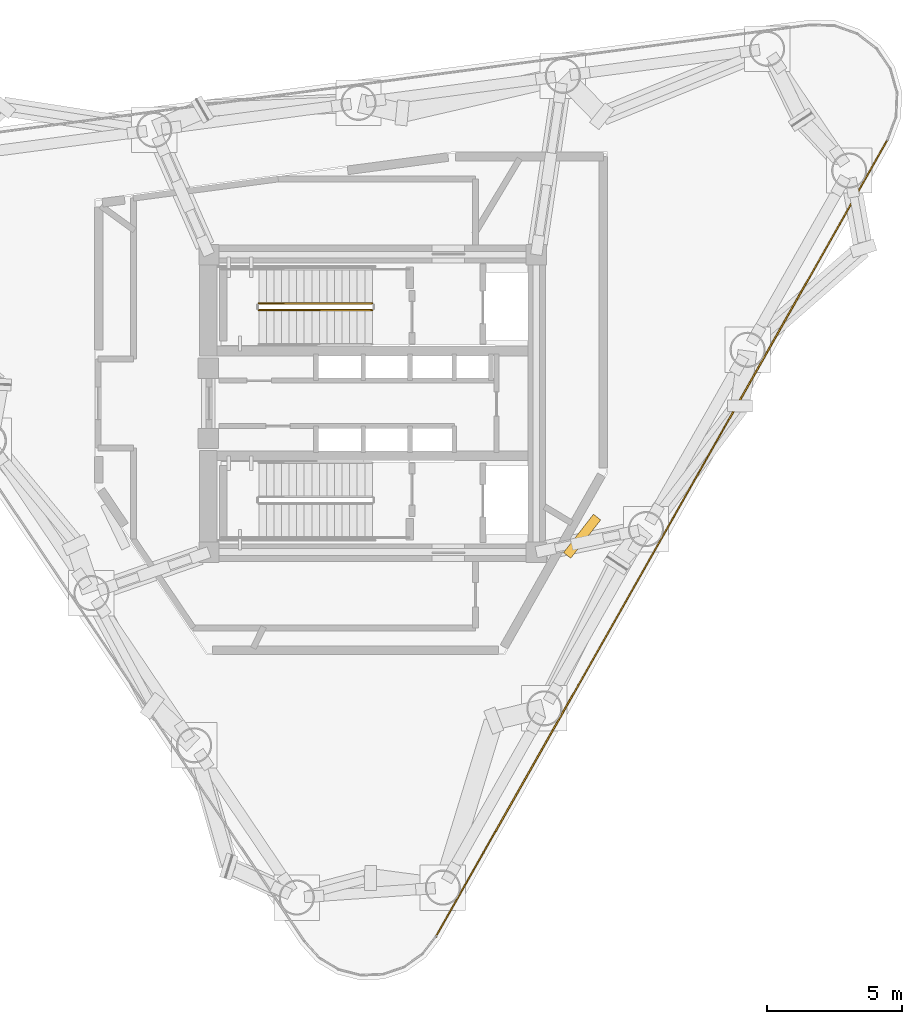
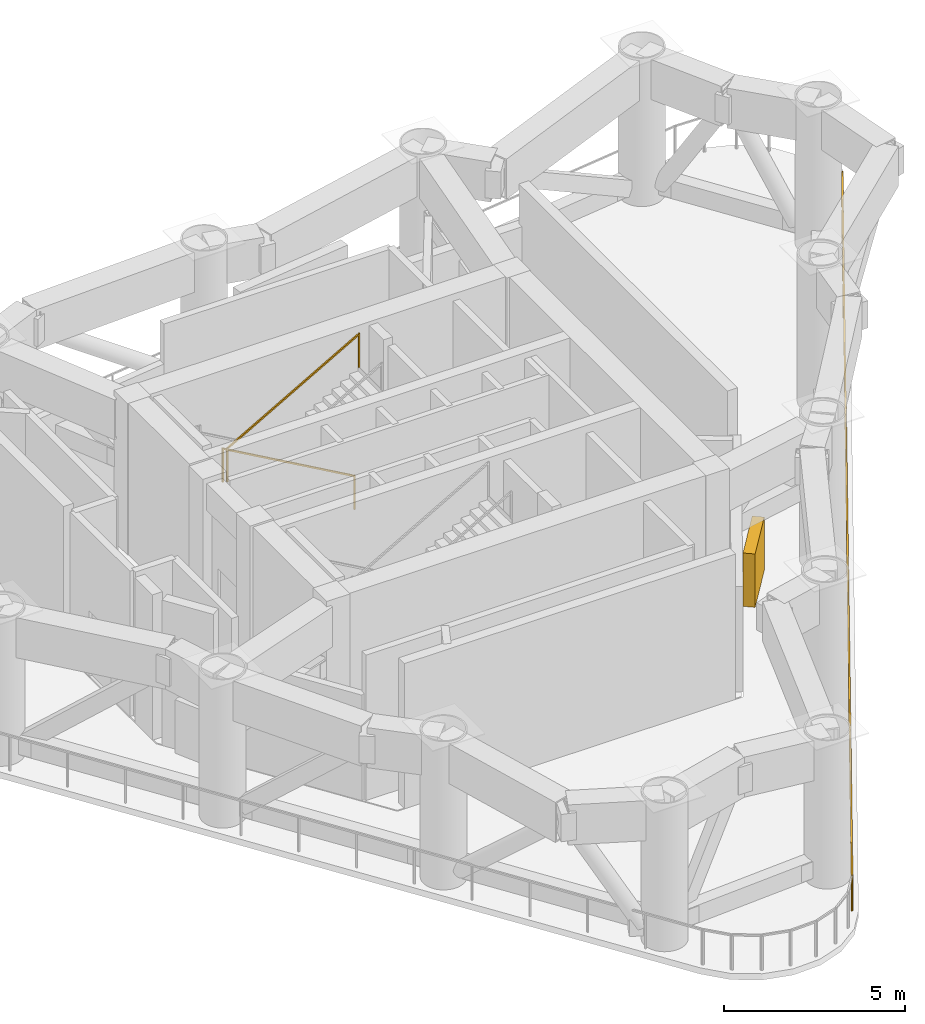
# One storey, part 8 of 10: 3 railings, 1 shading device.
"""IFC4 building model written with IfcOpenShell, lengths in metres."""

from ifc_helpers import new_model, si_unit, direction, frame, origin, origin_2d, place, context, subcontext, project, spatial, rectangle, extrude, source, transform, mapped, material, layer, layer_set, type_object, element, save


model = new_model("IFC4")

# Units and contexts
model_context = context("Model", 3, precision=1e-05, world=origin(), true_north=direction((0.0, 1.0)))
body_context = subcontext(model_context, "Body", "Model", "MODEL_VIEW")
ifc_project = project(units=[si_unit("LENGTHUNIT", "METRE"), si_unit("AREAUNIT", "SQUARE_METRE"), si_unit("VOLUMEUNIT", "CUBIC_METRE"), si_unit("PLANEANGLEUNIT", "RADIAN"), si_unit("MASSUNIT", "GRAM", prefix="KILO")], contexts=[model_context])

# Site, building, storey
site_placement = place(None, origin())
site = spatial("IfcSite", under=ifc_project, at=site_placement, CompositionType="ELEMENT")
building_placement = place(site_placement, origin())
building = spatial("IfcBuilding", under=site, at=building_placement, Name="Yunling Apex Tower", CompositionType="ELEMENT")
storey_placement = place(building_placement, frame((0.0, 0.0, 186.35009765625)))
storey = spatial("IfcBuildingStorey", under=building, at=storey_placement, Name="RF5", CompositionType="ELEMENT", Elevation=186.35009765625)

# Railings
ifc_material_1 = material(Name="Bronze anodised aluminium", Category="aluminium")
railing_type_1 = type_object("IfcRailingType", Name="RL-BAL-1200", PredefinedType="BALUSTRADE", material=ifc_material_1)
railing_1_placement = place(storey_placement, frame((19.041748046875, 9.755859375, 0.0)))
element("IfcRailing", 1, at=railing_1_placement, inside=storey, type_object=railing_type_1, Name="RL-REF-RF5-17", PredefinedType="BALUSTRADE", context=body_context, shape_type="SweptSolid", body=[
    extrude(rectangle(XDim=0.0439453125, YDim=0.0439453125, at=origin_2d()), origin(), (0.0, 0.0, 1.0), 1.199951171875),
    extrude(rectangle(XDim=0.0439453125, YDim=0.0439453125, at=origin_2d()), frame((-16.699951171875, -29.468994140625, 0.0)), (0.0, 0.0, 1.0), 1.199951171875),
    extrude(rectangle(XDim=0.050048828125, YDim=0.050048828125, at=origin_2d()), frame((-0.018798828125, -0.033447265625, 1.1748046875), z_axis=(-0.493031667245, -0.870011364922, 0.0), x_axis=(0.870011364922, -0.493031667245, 0.0)), (0.0, 0.0, 1.0), 33.79541015625),
    extrude(rectangle(XDim=0.0439453125, YDim=0.0439453125, at=origin_2d()), frame((-0.87890625, -1.551025390625, 0.0)), (0.0, 0.0, 1.0), 1.14599609375),
    extrude(rectangle(XDim=0.0439453125, YDim=0.0439453125, at=origin_2d()), frame((-1.7578125, -3.10205078125, 0.0)), (0.0, 0.0, 1.0), 1.14599609375),
    extrude(rectangle(XDim=0.0439453125, YDim=0.0439453125, at=origin_2d()), frame((-2.63671875, -4.653076171875, 0.0)), (0.0, 0.0, 1.0), 1.14599609375),
    extrude(rectangle(XDim=0.0439453125, YDim=0.0439453125, at=origin_2d()), frame((-3.515869140625, -6.2041015625, 0.0)), (0.0, 0.0, 1.0), 1.14599609375),
    extrude(rectangle(XDim=0.0439453125, YDim=0.0439453125, at=origin_2d()), frame((-4.394775390625, -7.7548828125, 0.0)), (0.0, 0.0, 1.0), 1.14599609375),
    extrude(rectangle(XDim=0.0439453125, YDim=0.0439453125, at=origin_2d()), frame((-5.273681640625, -9.305908203125, 0.0)), (0.0, 0.0, 1.0), 1.14599609375),
    extrude(rectangle(XDim=0.0439453125, YDim=0.0439453125, at=origin_2d()), frame((-6.152587890625, -10.85693359375, 0.0)), (0.0, 0.0, 1.0), 1.14599609375),
    extrude(rectangle(XDim=0.0439453125, YDim=0.0439453125, at=origin_2d()), frame((-7.031494140625, -12.407958984375, 0.0)), (0.0, 0.0, 1.0), 1.14599609375),
    extrude(rectangle(XDim=0.0439453125, YDim=0.0439453125, at=origin_2d()), frame((-7.910400390625, -13.958984375, 0.0)), (0.0, 0.0, 1.0), 1.14599609375),
    extrude(rectangle(XDim=0.0439453125, YDim=0.0439453125, at=origin_2d()), frame((-8.78955078125, -15.510009765625, 0.0)), (0.0, 0.0, 1.0), 1.14599609375),
    extrude(rectangle(XDim=0.0439453125, YDim=0.0439453125, at=origin_2d()), frame((-9.66845703125, -17.06103515625, 0.0)), (0.0, 0.0, 1.0), 1.14599609375),
    extrude(rectangle(XDim=0.0439453125, YDim=0.0439453125, at=origin_2d()), frame((-10.54736328125, -18.612060546875, 0.0)), (0.0, 0.0, 1.0), 1.14599609375),
    extrude(rectangle(XDim=0.0439453125, YDim=0.0439453125, at=origin_2d()), frame((-11.42626953125, -20.1630859375, 0.0)), (0.0, 0.0, 1.0), 1.14599609375),
    extrude(rectangle(XDim=0.0439453125, YDim=0.0439453125, at=origin_2d()), frame((-12.30517578125, -21.714111328125, 0.0)), (0.0, 0.0, 1.0), 1.14599609375),
    extrude(rectangle(XDim=0.0439453125, YDim=0.0439453125, at=origin_2d()), frame((-13.18408203125, -23.264892578125, 0.0)), (0.0, 0.0, 1.0), 1.14599609375),
    extrude(rectangle(XDim=0.0439453125, YDim=0.0439453125, at=origin_2d()), frame((-14.063232421875, -24.81591796875, 0.0)), (0.0, 0.0, 1.0), 1.14599609375),
    extrude(rectangle(XDim=0.0439453125, YDim=0.0439453125, at=origin_2d()), frame((-14.942138671875, -26.366943359375, 0.0)), (0.0, 0.0, 1.0), 1.14599609375),
    extrude(rectangle(XDim=0.0439453125, YDim=0.0439453125, at=origin_2d()), frame((-15.821044921875, -27.91796875, 0.0)), (0.0, 0.0, 1.0), 1.14599609375),
])
ifc_material_2 = material(Name="Steel Q355B", Category="steel")
railing_type_2 = type_object("IfcRailingType", Name="RL-GRD-1150", PredefinedType="GUARDRAIL", material=ifc_material_2)
railing_2_placement = place(storey_placement, frame((-0.010009765625, 3.699951171875, 0.1591796875)))
element("IfcRailing", 2, at=railing_2_placement, inside=storey, type_object=railing_type_2, Name="RF5 ST-1 stair guard 1", PredefinedType="GUARDRAIL", context=body_context, shape_type="SweptSolid", body=[
    extrude(rectangle(XDim=0.0439453125, YDim=0.0439453125, at=origin_2d()), origin(), (0.0, 0.0, 1.0), 1.14990234375),
    extrude(rectangle(XDim=0.0439453125, YDim=0.0439453125, at=origin_2d()), frame((-4.199951171875, 0.0, 2.390625)), (0.0, 0.0, 1.0), 1.14990234375),
    extrude(rectangle(XDim=0.050048828125, YDim=0.050048828125, at=origin_2d()), frame((-0.033203125, 0.0, 1.143798828125), z_axis=(-0.869075089623, 0.0, 0.494680188199), x_axis=(0.0, -1.0, 0.0)), (0.0, 0.0, 1.0), 4.756103515625),
])
railing_3_placement = place(storey_placement, frame((-4.2099609375, 3.449951171875, 2.709228515625)))
element("IfcRailing", 3, at=railing_3_placement, inside=storey, type_object=railing_type_2, Name="RF5 ST-1 stair guard 4", PredefinedType="GUARDRAIL", context=body_context, shape_type="SweptSolid", body=[
    extrude(rectangle(XDim=0.0439453125, YDim=0.0439453125, at=origin_2d()), origin(), (0.0, 0.0, 1.0), 1.14990234375),
    extrude(rectangle(XDim=0.0439453125, YDim=0.0439453125, at=origin_2d()), frame((4.199951171875, 0.0, 2.390625)), (0.0, 0.0, 1.0), 1.14990234375),
    extrude(rectangle(XDim=0.050048828125, YDim=0.050048828125, at=origin_2d()), frame((0.033203125, 0.0, 1.143798828125), z_axis=(0.869075089623, 0.0, 0.494680188199), x_axis=(0.0, 1.0, 0.0)), (0.0, 0.0, 1.0), 4.756103515625),
])

# Shading device
ifc_layer = layer(ifc_material_1, 0.1201171875)
ifc_layer_set = layer_set([ifc_layer], Name="Bronze anodised aluminium")
shading_device_type = type_object("IfcShadingDeviceType", Name="LV-BRZ-1", PredefinedType="USERDEFINED", material=ifc_layer_set)
shared_shape = source(origin(), body_context, "Body", "SweptSolid", [
    extrude(rectangle(XDim=1.800048828125, YDim=0.340087890625, at=origin_2d()), origin(), (0.0, 0.0, 1.0), 1.800048828125),
])
shading_device_placement = place(storey_placement, frame((7.746337890625, -4.913330078125, 0.0), z_axis=(0.0, 0.0, 1.0), x_axis=(-0.616211460536, -0.787580748815, 0.0)))
element("IfcShadingDevice", 4, at=shading_device_placement, inside=storey, type_object=shading_device_type, Name="LV-REF-RF5-2", ObjectType="LOUVRE", PredefinedType="USERDEFINED", context=body_context, shape_type="MappedRepresentation", body=[
    mapped(shared_shape, transform((0.0, 0.0, 0.0), scale=1.0)),
])

save(model, "model.ifc")
